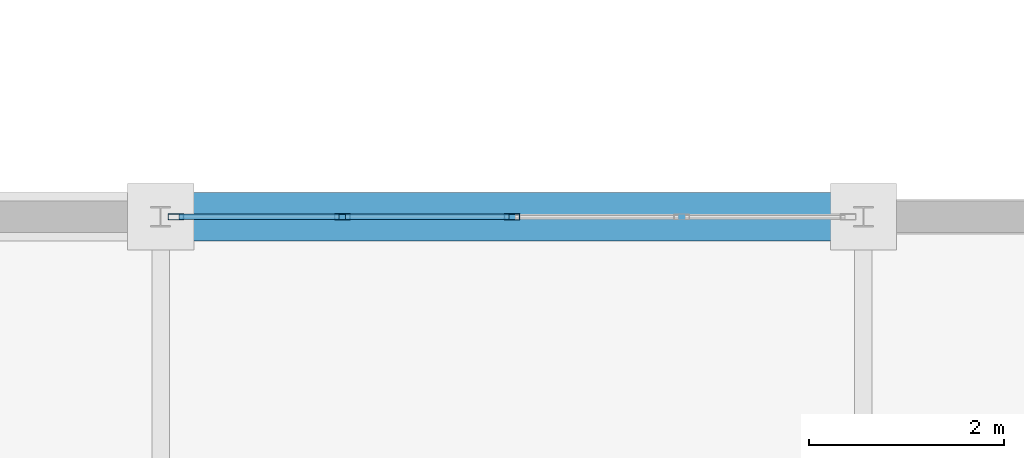
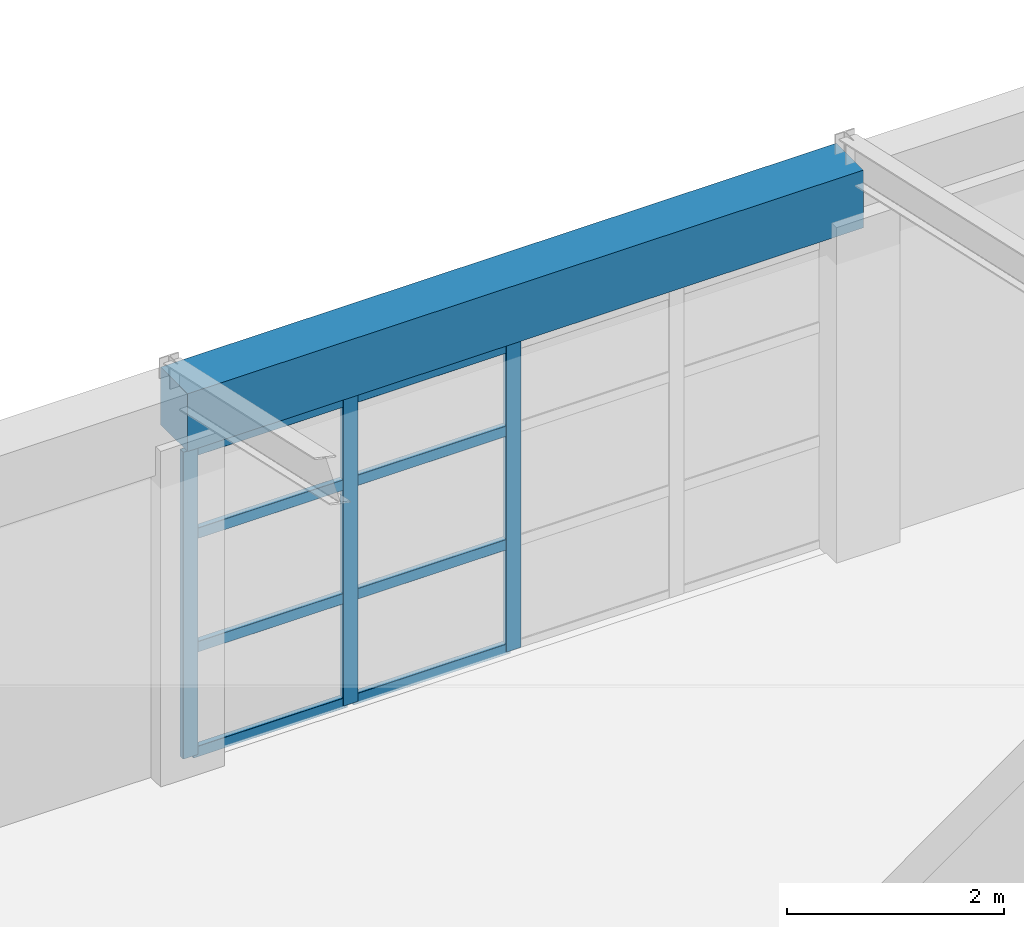
# One storey, part 66 of 101: 11 members, 1 beam, 1 element without a shape of its own.
"""IFC4 building model written with IfcOpenShell, lengths in metres."""

from ifc_helpers import new_model, si_unit, direction, frame, origin, origin_2d, place, context, subcontext, project, spatial, rectangle, hollow_rectangle, extrude, material, layer, layer_set, material_profile, profile_set, type_object, element, aggregate, save


model = new_model("IFC4")

# Units and contexts
model_context = context("Model", 3, precision=1e-05, world=origin(), true_north=direction((0.0, 1.0)))
body_context = subcontext(model_context, "Body", "Model", "MODEL_VIEW")
ifc_project = project(units=[si_unit("LENGTHUNIT", "METRE"), si_unit("AREAUNIT", "SQUARE_METRE"), si_unit("VOLUMEUNIT", "CUBIC_METRE"), si_unit("PLANEANGLEUNIT", "RADIAN"), si_unit("MASSUNIT", "GRAM", prefix="KILO")], contexts=[model_context])

# Site, building, storey
site_placement = place(None, origin())
site = spatial("IfcSite", under=ifc_project, at=site_placement, CompositionType="ELEMENT")
building_placement = place(site_placement, origin())
building = spatial("IfcBuilding", under=site, at=building_placement, Name="Kemerveld Promenade Tramway Depot", CompositionType="ELEMENT")
storey_placement = place(building_placement, frame((0.0, 0.0, 9.89990234375)))
storey = spatial("IfcBuildingStorey", under=building, at=storey_placement, Name="L02", CompositionType="ELEMENT", Elevation=9.89990234375)

# Beam
ifc_material_1 = material(Name="Concrete C40/50", Category="concrete")
ifc_material_profile_1 = material_profile(ifc_material_1, rectangle(XDim=0.5, YDim=0.64990234375, at=origin_2d()), Name="RC-PLINTH-500x650")
ifc_profile_set_1 = profile_set([ifc_material_profile_1], Name="Concrete C40/50")
beam_type = type_object("IfcBeamType", Name="BM-PL1", PredefinedType="BEAM", material=ifc_profile_set_1)
beam_placement = place(storey_placement, frame((108.0, 28.800048828125, 3.9501953125), z_axis=(1.0, 0.0, 0.0), x_axis=(0.0, 1.0, 0.0)))
element("IfcBeam", 1, at=beam_placement, inside=storey, type_object=beam_type, Name="BMX-L02-16-17-E", PredefinedType="BEAM", context=body_context, shape_type="SweptSolid", body=[
    extrude(rectangle(XDim=0.5, YDim=0.64990234375, at=origin_2d()), origin(), (0.0, 0.0, 1.0), 7.199951171875),
])

# Curtain wall, members
ifc_material_2 = material(Name="Bronze anodised aluminium and solar glass", Category="aluminium")
ifc_layer = layer(ifc_material_2, 0.159912109375)
ifc_layer_set = layer_set([ifc_layer], Name="CW-SYS-11")
curtain_wall_type = type_object("IfcCurtainWallType", Name="CW-SYS-11", PredefinedType="USERDEFINED", material=ifc_layer_set)
curtain_wall_placement = place(storey_placement, origin())
curtain_wall = element("IfcCurtainWall", 2, at=curtain_wall_placement, inside=storey, type_object=curtain_wall_type, Name="CW-L02-V4N-08", ObjectType="GLAZED_CURTAIN_WALL", PredefinedType="USERDEFINED")
ifc_material_3 = material(Name="Bronze anodised aluminium", Category="aluminium")
ifc_material_profile_2 = material_profile(ifc_material_3, hollow_rectangle(XDim=0.06494140625, YDim=0.159912109375, WallThickness=0.00390625, InnerFilletRadius=0.001953125, OuterFilletRadius=0.00390625, at=origin_2d()), Name="CW-MUL-160x65")
ifc_profile_set_2 = profile_set([ifc_material_profile_2], Name="Bronze anodised aluminium")
member_type_1 = type_object("IfcMemberType", Name="CW-MUL-A", PredefinedType="MULLION", material=ifc_profile_set_2)
member_1_placement = place(storey_placement, frame((108.1572265625, 28.800048828125, 0.0), z_axis=(0.0, 0.0, 1.0), x_axis=(0.0, 1.0, 0.0)))
member_1 = element("IfcMember", 3, at=member_1_placement, type_object=member_type_1, Name="CW11 mullion 1", PredefinedType="MULLION", context=body_context, shape_type="SweptSolid", body=[
    extrude(hollow_rectangle(XDim=0.06494140625, YDim=0.159912109375, WallThickness=0.00390625, InnerFilletRadius=0.001953125, OuterFilletRadius=0.00390625, at=origin_2d()), origin(), (0.0, 0.0, 1.0), 3.455078125),
])
member_2_placement = place(storey_placement, frame((109.8623046875, 28.800048828125, 0.0), z_axis=(0.0, 0.0, 1.0), x_axis=(0.0, 1.0, 0.0)))
member_2 = element("IfcMember", 4, at=member_2_placement, type_object=member_type_1, Name="CW11 mullion 2", PredefinedType="MULLION", context=body_context, shape_type="SweptSolid", body=[
    extrude(hollow_rectangle(XDim=0.06494140625, YDim=0.159912109375, WallThickness=0.00390625, InnerFilletRadius=0.001953125, OuterFilletRadius=0.00390625, at=origin_2d()), origin(), (0.0, 0.0, 1.0), 3.455078125),
])
member_3_placement = place(storey_placement, frame((111.60009765625, 28.800048828125, 0.0), z_axis=(0.0, 0.0, 1.0), x_axis=(0.0, 1.0, 0.0)))
member_3 = element("IfcMember", 5, at=member_3_placement, type_object=member_type_1, Name="CW11 mullion 3", PredefinedType="MULLION", context=body_context, shape_type="SweptSolid", body=[
    extrude(hollow_rectangle(XDim=0.06494140625, YDim=0.159912109375, WallThickness=0.00390625, InnerFilletRadius=0.001953125, OuterFilletRadius=0.00390625, at=origin_2d()), origin(), (0.0, 0.0, 1.0), 3.455078125),
])
ifc_material_profile_3 = material_profile(ifc_material_3, hollow_rectangle(XDim=0.06005859375, YDim=0.1201171875, WallThickness=0.00390625, InnerFilletRadius=0.001953125, OuterFilletRadius=0.00390625, at=origin_2d()), Name="CW-TRN-120x60")
ifc_profile_set_3 = profile_set([ifc_material_profile_3], Name="Bronze anodised aluminium")
member_type_2 = type_object("IfcMemberType", Name="CW-TRN-A", PredefinedType="USERDEFINED", material=ifc_profile_set_3)
member_4_placement = place(storey_placement, frame((108.189697265625, 28.800048828125, 0.030029296875), z_axis=(1.0, 0.0, 0.0), x_axis=(0.0, 1.0, 0.0)))
member_4 = element("IfcMember", 6, at=member_4_placement, type_object=member_type_2, Name="CW11 transom 1.1", ObjectType="TRANSOM", PredefinedType="USERDEFINED", context=body_context, shape_type="SweptSolid", body=[
    extrude(hollow_rectangle(XDim=0.06005859375, YDim=0.1201171875, WallThickness=0.00390625, InnerFilletRadius=0.001953125, OuterFilletRadius=0.00390625, at=origin_2d()), origin(), (0.0, 0.0, 1.0), 1.64013671875),
])
member_5_placement = place(storey_placement, frame((108.189697265625, 28.800048828125, 1.208984375), z_axis=(1.0, 0.0, 0.0), x_axis=(0.0, 1.0, 0.0)))
member_5 = element("IfcMember", 7, at=member_5_placement, type_object=member_type_2, Name="CW11 transom 1.2", ObjectType="TRANSOM", PredefinedType="USERDEFINED", context=body_context, shape_type="SweptSolid", body=[
    extrude(hollow_rectangle(XDim=0.06005859375, YDim=0.1201171875, WallThickness=0.00390625, InnerFilletRadius=0.001953125, OuterFilletRadius=0.00390625, at=origin_2d()), origin(), (0.0, 0.0, 1.0), 1.64013671875),
])
member_6_placement = place(storey_placement, frame((108.189697265625, 28.800048828125, 2.488037109375), z_axis=(1.0, 0.0, 0.0), x_axis=(0.0, 1.0, 0.0)))
member_6 = element("IfcMember", 8, at=member_6_placement, type_object=member_type_2, Name="CW11 transom 1.3", ObjectType="TRANSOM", PredefinedType="USERDEFINED", context=body_context, shape_type="SweptSolid", body=[
    extrude(hollow_rectangle(XDim=0.06005859375, YDim=0.1201171875, WallThickness=0.00390625, InnerFilletRadius=0.001953125, OuterFilletRadius=0.00390625, at=origin_2d()), origin(), (0.0, 0.0, 1.0), 1.64013671875),
])
member_7_placement = place(storey_placement, frame((108.189697265625, 28.800048828125, 3.425048828125), z_axis=(1.0, 0.0, 0.0), x_axis=(0.0, 1.0, 0.0)))
member_7 = element("IfcMember", 9, at=member_7_placement, type_object=member_type_2, Name="CW11 transom 1.4", ObjectType="TRANSOM", PredefinedType="USERDEFINED", context=body_context, shape_type="SweptSolid", body=[
    extrude(hollow_rectangle(XDim=0.06005859375, YDim=0.1201171875, WallThickness=0.00390625, InnerFilletRadius=0.001953125, OuterFilletRadius=0.00390625, at=origin_2d()), origin(), (0.0, 0.0, 1.0), 1.64013671875),
])
member_8_placement = place(storey_placement, frame((109.89501953125, 28.800048828125, 0.030029296875), z_axis=(1.0, 0.0, 0.0), x_axis=(0.0, 1.0, 0.0)))
member_8 = element("IfcMember", 10, at=member_8_placement, type_object=member_type_2, Name="CW11 transom 2.1", ObjectType="TRANSOM", PredefinedType="USERDEFINED", context=body_context, shape_type="SweptSolid", body=[
    extrude(hollow_rectangle(XDim=0.06005859375, YDim=0.1201171875, WallThickness=0.00390625, InnerFilletRadius=0.001953125, OuterFilletRadius=0.00390625, at=origin_2d()), origin(), (0.0, 0.0, 1.0), 1.67236328125),
])
member_9_placement = place(storey_placement, frame((109.89501953125, 28.800048828125, 1.208984375), z_axis=(1.0, 0.0, 0.0), x_axis=(0.0, 1.0, 0.0)))
member_9 = element("IfcMember", 11, at=member_9_placement, type_object=member_type_2, Name="CW11 transom 2.2", ObjectType="TRANSOM", PredefinedType="USERDEFINED", context=body_context, shape_type="SweptSolid", body=[
    extrude(hollow_rectangle(XDim=0.06005859375, YDim=0.1201171875, WallThickness=0.00390625, InnerFilletRadius=0.001953125, OuterFilletRadius=0.00390625, at=origin_2d()), origin(), (0.0, 0.0, 1.0), 1.67236328125),
])
member_10_placement = place(storey_placement, frame((109.89501953125, 28.800048828125, 2.488037109375), z_axis=(1.0, 0.0, 0.0), x_axis=(0.0, 1.0, 0.0)))
member_10 = element("IfcMember", 12, at=member_10_placement, type_object=member_type_2, Name="CW11 transom 2.3", ObjectType="TRANSOM", PredefinedType="USERDEFINED", context=body_context, shape_type="SweptSolid", body=[
    extrude(hollow_rectangle(XDim=0.06005859375, YDim=0.1201171875, WallThickness=0.00390625, InnerFilletRadius=0.001953125, OuterFilletRadius=0.00390625, at=origin_2d()), origin(), (0.0, 0.0, 1.0), 1.67236328125),
])
member_11_placement = place(storey_placement, frame((109.89501953125, 28.800048828125, 3.425048828125), z_axis=(1.0, 0.0, 0.0), x_axis=(0.0, 1.0, 0.0)))
member_11 = element("IfcMember", 13, at=member_11_placement, type_object=member_type_2, Name="CW11 transom 2.4", ObjectType="TRANSOM", PredefinedType="USERDEFINED", context=body_context, shape_type="SweptSolid", body=[
    extrude(hollow_rectangle(XDim=0.06005859375, YDim=0.1201171875, WallThickness=0.00390625, InnerFilletRadius=0.001953125, OuterFilletRadius=0.00390625, at=origin_2d()), origin(), (0.0, 0.0, 1.0), 1.67236328125),
])
aggregate(curtain_wall, [member_1, member_2, member_3, member_4, member_5, member_6, member_7, member_8, member_9, member_10, member_11])

save(model, "model.ifc")
